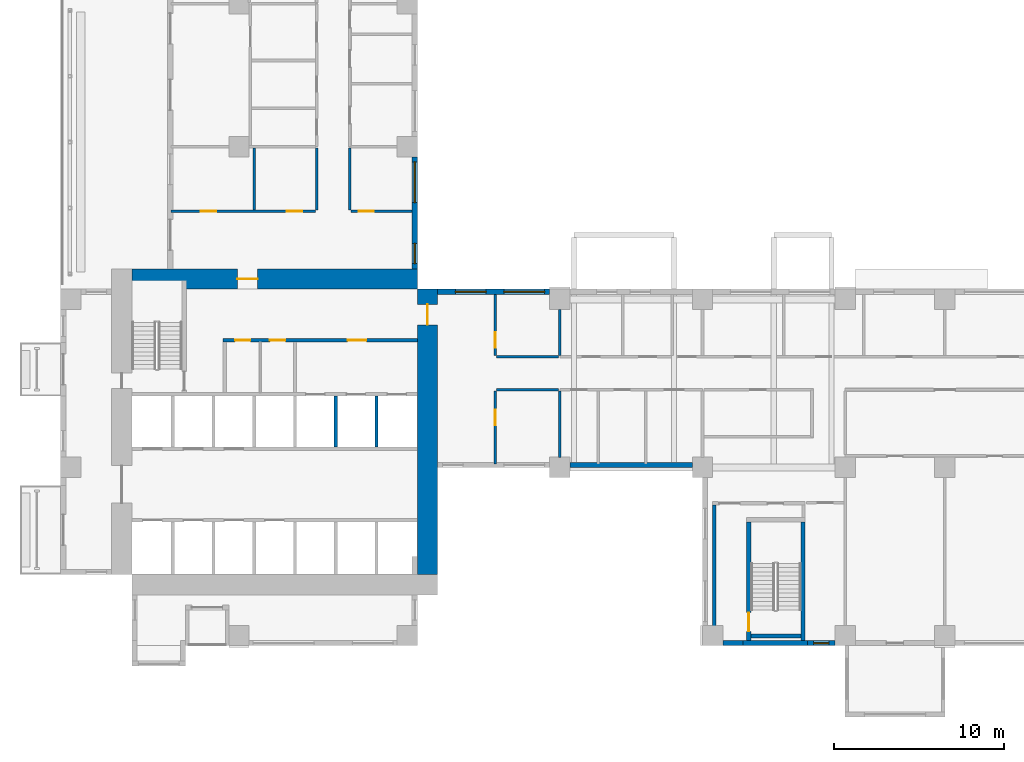
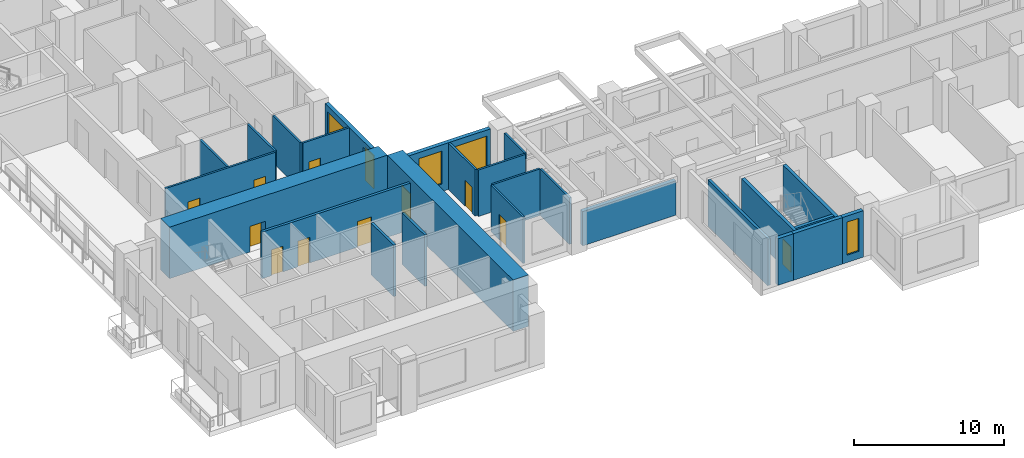
# One storey, part 7 of 18: 26 walls, 11 doors, 5 windows, 16 openings.
"""IFC4 building model written with IfcOpenShell, lengths in metres."""

from ifc_helpers import new_model, si_unit, direction, frame, frame_2d, origin, place, context, subcontext, project, spatial, rectangle, extrude, source, transform, mapped, material, layer, layer_set, type_object, element, fill, save


model = new_model("IFC4")

# Units and contexts
model_context = context("Model", 3, precision=1e-05, world=origin(), true_north=direction((0.0, 1.0)))
body_context = subcontext(model_context, "Body", "Model", "MODEL_VIEW")
ifc_project = project(units=[si_unit("LENGTHUNIT", "METRE"), si_unit("AREAUNIT", "SQUARE_METRE"), si_unit("VOLUMEUNIT", "CUBIC_METRE"), si_unit("PLANEANGLEUNIT", "RADIAN"), si_unit("MASSUNIT", "GRAM", prefix="KILO")], contexts=[model_context])

# Site, building, storey
site_placement = place(None, origin())
site = spatial("IfcSite", under=ifc_project, at=site_placement, CompositionType="ELEMENT")
building_placement = place(site_placement, origin())
building = spatial("IfcBuilding", under=site, at=building_placement, Name="Aurelian Terraces", CompositionType="ELEMENT")
storey_placement = place(building_placement, frame((0.0, 0.0, 99.3)))
storey = spatial("IfcBuildingStorey", under=building, at=storey_placement, Name="L21", CompositionType="ELEMENT", Elevation=99.3)

# Wall, openings, doors
ifc_material_1 = material(Name="Gypsum board on steel studs", Category="steel")
ifc_layer_1 = layer(ifc_material_1, 0.15)
ifc_layer_set_1 = layer_set([ifc_layer_1], Name="Partition 150")
wall_type_1 = type_object("IfcWallType", Name="Partition 150", PredefinedType="PARTITIONING", material=ifc_layer_set_1)
wall_1_placement = place(storey_placement, frame((6.505, 25.6, 0.0), z_axis=(0.0, 0.0, 1.0), x_axis=(1.0, 0.0, 0.0)))
wall_1 = element("IfcWall", 1, at=wall_1_placement, inside=storey, type_object=wall_type_1, Name="Partition", PredefinedType="PARTITIONING", context=body_context, shape_type="SweptSolid", body=[
    extrude(rectangle(XDim=8.495, YDim=0.15, at=frame_2d((4.2475, 0.0))), origin(), (0.0, 0.0, 1.0), 3.8),
])
shared_shape_1 = source(origin(), body_context, "Body", "SweptSolid", [
    extrude(rectangle(XDim=0.9, YDim=2.1, at=frame_2d((0.45, 1.05))), frame((0.0, 0.085, 0.0), z_axis=(0.0, -1.0, 0.0), x_axis=(1.0, 0.0, 0.0)), (0.0, 0.0, 1.0), 0.17),
])
opening_1_placement = place(wall_1_placement, frame((1.745, 0.0, 0.0)))
opening_1 = element("IfcOpeningElement", 2, at=opening_1_placement, cuts=wall_1, Name="Opening 721024", PredefinedType="OPENING", context=body_context, shape_type="MappedRepresentation", body=[
    mapped(shared_shape_1, transform((0.0, 0.0, 0.0), scale=1.0)),
])
opening_2_placement = place(wall_1_placement, frame((6.82, 0.0, 0.0)))
opening_2 = element("IfcOpeningElement", 3, at=opening_2_placement, cuts=wall_1, Name="Opening 721025", PredefinedType="OPENING", context=body_context, shape_type="MappedRepresentation", body=[
    mapped(shared_shape_1, transform((0.0, 0.0, 0.0), scale=1.0)),
])
ifc_material_2 = material(Name="Timber door leaf", Category="wood")
door_type_1 = type_object("IfcDoorType", Name="Room door 900x2100 right", OperationType="SINGLE_SWING_RIGHT", PredefinedType="DOOR", material=ifc_material_2)
shared_shape_2 = source(origin(), body_context, "Body", "SweptSolid", [
    extrude(rectangle(XDim=0.9, YDim=2.1, at=frame_2d((0.45, 1.05))), frame((0.0, 0.025, 0.0), z_axis=(0.0, -1.0, 0.0), x_axis=(1.0, 0.0, 0.0)), (0.0, 0.0, 1.0), 0.05),
])
door_1_placement = place(opening_1_placement, origin())
door_1 = element("IfcDoor", 4, at=door_1_placement, inside=storey, type_object=door_type_1, Name="Door 721024", OperationType="SINGLE_SWING_RIGHT", OverallHeight=2.1, OverallWidth=0.9, PredefinedType="DOOR", context=body_context, shape_type="MappedRepresentation", body=[
    mapped(shared_shape_2, transform((0.0, 0.0, 0.0), scale=1.0)),
])
fill(opening_1, door_1)
door_type_2 = type_object("IfcDoorType", Name="Room door 900x2100 left", OperationType="SINGLE_SWING_LEFT", PredefinedType="DOOR", material=ifc_material_2)
door_2_placement = place(opening_2_placement, origin())
door_2 = element("IfcDoor", 5, at=door_2_placement, inside=storey, type_object=door_type_2, Name="Door 721025", OperationType="SINGLE_SWING_LEFT", OverallHeight=2.1, OverallWidth=0.9, PredefinedType="DOOR", context=body_context, shape_type="MappedRepresentation", body=[
    mapped(shared_shape_2, transform((0.0, 0.0, 0.0), scale=1.0)),
])
fill(opening_2, door_2)

# Wall, opening, door
ifc_material_3 = material(Name="Concrete fc' 83 MPa", Category="concrete")
ifc_layer_2 = layer(ifc_material_3, 1.2)
ifc_layer_set_2 = layer_set([ifc_layer_2], Name="CORE WALL 1200 FC83")
wall_type_2 = type_object("IfcWallType", Name="CORE WALL 1200 FC83", PredefinedType="SHEAR", material=ifc_layer_set_2)
shared_shape_3 = source(origin(), body_context, "Body", "SweptSolid", [
    extrude(rectangle(XDim=16.8, YDim=1.2, at=frame_2d((8.4, 0.0))), origin(), (0.0, 0.0, 1.0), 4.2),
])
wall_2_placement = place(storey_placement, frame((21.6, 4.2, 0.0), z_axis=(0.0, 0.0, 1.0), x_axis=(0.0, 1.0, 0.0)))
wall_2 = element("IfcWall", 6, at=wall_2_placement, inside=storey, type_object=wall_type_2, Name="Core wall E L21", PredefinedType="SHEAR", context=body_context, shape_type="MappedRepresentation", body=[
    mapped(shared_shape_3, transform((0.0, 0.0, 0.0), scale=1.0)),
])
shared_shape_4 = source(origin(), body_context, "Body", "SweptSolid", [
    extrude(rectangle(XDim=1.2, YDim=2.1, at=frame_2d((0.6, 1.05))), frame((0.0, 0.61, 0.0), z_axis=(0.0, -1.0, 0.0), x_axis=(1.0, 0.0, 0.0)), (0.0, 0.0, 1.0), 1.22),
])
opening_3_placement = place(wall_2_placement, frame((14.7, 0.0, 0.0)))
opening_3 = element("IfcOpeningElement", 7, at=opening_3_placement, cuts=wall_2, Name="Opening 62422", PredefinedType="OPENING", context=body_context, shape_type="MappedRepresentation", body=[
    mapped(shared_shape_4, transform((0.0, 0.0, 0.0), scale=1.0)),
])
ifc_material_4 = material(Name="Steel door leaf", Category="steel")
door_type_3 = type_object("IfcDoorType", Name="Core fire door 1200x2100", OperationType="SINGLE_SWING_LEFT", PredefinedType="DOOR", material=ifc_material_4)
shared_shape_5 = source(origin(), body_context, "Body", "SweptSolid", [
    extrude(rectangle(XDim=1.2, YDim=2.1, at=frame_2d((0.6, 1.05))), frame((0.0, 0.025, 0.0), z_axis=(0.0, -1.0, 0.0), x_axis=(1.0, 0.0, 0.0)), (0.0, 0.0, 1.0), 0.05),
])
door_3_placement = place(opening_3_placement, origin())
door_3 = element("IfcDoor", 8, at=door_3_placement, inside=storey, type_object=door_type_3, Name="Core door 62422", OperationType="SINGLE_SWING_LEFT", OverallHeight=2.1, OverallWidth=1.2, PredefinedType="DOOR", context=body_context, shape_type="MappedRepresentation", body=[
    mapped(shared_shape_5, transform((0.0, 0.0, 0.0), scale=1.0)),
])
fill(opening_3, door_3)

wall_3_placement = place(storey_placement, frame((4.2, 21.6, 0.0), z_axis=(0.0, 0.0, 1.0), x_axis=(1.0, 0.0, 0.0)))
wall_3 = element("IfcWall", 9, at=wall_3_placement, inside=storey, type_object=wall_type_2, Name="Core wall N L21", PredefinedType="SHEAR", context=body_context, shape_type="MappedRepresentation", body=[
    mapped(shared_shape_3, transform((0.0, 0.0, 0.0), scale=1.0)),
])
opening_4_placement = place(wall_3_placement, frame((6.2, 0.0, 0.0)))
opening_4 = element("IfcOpeningElement", 10, at=opening_4_placement, cuts=wall_3, Name="Opening 62421", PredefinedType="OPENING", context=body_context, shape_type="MappedRepresentation", body=[
    mapped(shared_shape_4, transform((0.0, 0.0, 0.0), scale=1.0)),
])
door_type_4 = type_object("IfcDoorType", Name="Core fire door 1200x2100 right", OperationType="SINGLE_SWING_RIGHT", PredefinedType="DOOR", material=ifc_material_4)
door_4_placement = place(opening_4_placement, origin())
door_4 = element("IfcDoor", 11, at=door_4_placement, inside=storey, type_object=door_type_4, Name="Core door 62421", OperationType="SINGLE_SWING_RIGHT", OverallHeight=2.1, OverallWidth=1.2, PredefinedType="DOOR", context=body_context, shape_type="MappedRepresentation", body=[
    mapped(shared_shape_5, transform((0.0, 0.0, 0.0), scale=1.0)),
])
fill(opening_4, door_4)

# Wall
ifc_material_5 = material(Name="Terracotta rainscreen cladding", Category="masonry")
ifc_layer_3 = layer(ifc_material_5, 0.3)
ifc_layer_set_3 = layer_set([ifc_layer_3], Name="EW-300")
wall_type_3 = type_object("IfcWallType", Name="EW-300", PredefinedType="STANDARD", material=ifc_layer_set_3)
shared_shape_6 = source(origin(), body_context, "Body", "SweptSolid", [
    extrude(rectangle(XDim=1.2, YDim=0.3, at=frame_2d((0.6, 0.0))), origin(), (0.0, 0.0, 1.0), 3.8),
])
wall_4_placement = place(storey_placement, frame((39.0, 0.15, 0.0), z_axis=(0.0, 0.0, 1.0), x_axis=(1.0, 0.0, 0.0)))
element("IfcWall", 12, at=wall_4_placement, inside=storey, type_object=wall_type_3, Name="External wall L21 F05.9", PredefinedType="STANDARD", context=body_context, shape_type="MappedRepresentation", body=[
    mapped(shared_shape_6, transform((0.0, 0.0, 0.0), scale=1.0)),
])

# Wall, opening, window
shared_shape_7 = source(origin(), body_context, "Body", "SweptSolid", [
    extrude(rectangle(XDim=1.6, YDim=0.3, at=frame_2d((0.8, 0.0))), origin(), (0.0, 0.0, 1.0), 3.8),
])
wall_5_placement = place(storey_placement, frame((44.0, 0.15, 0.0), z_axis=(0.0, 0.0, 1.0), x_axis=(1.0, 0.0, 0.0)))
wall_5 = element("IfcWall", 13, at=wall_5_placement, inside=storey, type_object=wall_type_3, Name="External wall L21 F05.9", PredefinedType="STANDARD", context=body_context, shape_type="MappedRepresentation", body=[
    mapped(shared_shape_7, transform((0.0, 0.0, 0.0), scale=1.0)),
])
shared_shape_8 = source(origin(), body_context, "Body", "SweptSolid", [
    extrude(rectangle(XDim=0.9, YDim=2.7, at=frame_2d((0.45, 1.35))), frame((0.0, 0.16, 0.0), z_axis=(0.0, -1.0, 0.0), x_axis=(1.0, 0.0, 0.0)), (0.0, 0.0, 1.0), 0.32),
])
opening_5_placement = place(wall_5_placement, frame((0.35, 0.0, 0.6)))
opening_5 = element("IfcOpeningElement", 14, at=opening_5_placement, cuts=wall_5, Name="Opening W0927", PredefinedType="OPENING", context=body_context, shape_type="MappedRepresentation", body=[
    mapped(shared_shape_8, transform((0.0, 0.0, 0.0), scale=1.0)),
])
ifc_material_6 = material(Name="Clear glazing", Category="glass")
window_type_1 = type_object("IfcWindowType", Name="W-900x2700", PartitioningType="SINGLE_PANEL", PredefinedType="WINDOW", material=ifc_material_6)
shared_shape_9 = source(origin(), body_context, "Body", "SweptSolid", [
    extrude(rectangle(XDim=0.9, YDim=2.7, at=frame_2d((0.45, 1.35))), frame((0.0, 0.03, 0.0), z_axis=(0.0, -1.0, 0.0), x_axis=(1.0, 0.0, 0.0)), (0.0, 0.0, 1.0), 0.06),
])
window_1_placement = place(opening_5_placement, origin())
window_1 = element("IfcWindow", 15, at=window_1_placement, inside=storey, type_object=window_type_1, Name="Window L21 L21-F05-09-P2", OverallHeight=2.7, OverallWidth=0.9, PartitioningType="SINGLE_PANEL", PredefinedType="WINDOW", context=body_context, shape_type="MappedRepresentation", body=[
    mapped(shared_shape_9, transform((0.0, 0.0, 0.0), scale=1.0)),
])
fill(opening_5, window_1)

# Wall
ifc_material_7 = material(Name="Concrete fc' 40 MPa", Category="concrete")
ifc_layer_4 = layer(ifc_material_7, 0.3)
ifc_layer_set_4 = layer_set([ifc_layer_4], Name="STAIR BAY WALL 300")
wall_type_4 = type_object("IfcWallType", Name="STAIR BAY WALL 300", PredefinedType="SOLIDWALL", material=ifc_layer_set_4)
shared_shape_10 = source(origin(), body_context, "Body", "SweptSolid", [
    extrude(rectangle(XDim=3.8, YDim=0.3, at=frame_2d((1.9, 0.0))), origin(), (0.0, 0.0, 1.0), 3.8),
])
wall_6_placement = place(storey_placement, frame((40.2, 0.15, 0.0), z_axis=(0.0, 0.0, 1.0), x_axis=(1.0, 0.0, 0.0)))
element("IfcWall", 16, at=wall_6_placement, inside=storey, type_object=wall_type_4, Name="Stair bay wall L21 F05.9", PredefinedType="SOLIDWALL", context=body_context, shape_type="MappedRepresentation", body=[
    mapped(shared_shape_10, transform((0.0, 0.0, 0.0), scale=1.0)),
])

# Wall, openings, windows
shared_shape_11 = source(origin(), body_context, "Body", "SweptSolid", [
    extrude(rectangle(XDim=6.6, YDim=0.3, at=frame_2d((3.3, 0.0))), origin(), (0.0, 0.0, 1.0), 3.8),
])
wall_7_placement = place(storey_placement, frame((28.8, 20.85, 0.0), z_axis=(0.0, 0.0, 1.0), x_axis=(-1.0, 0.0, 0.0)))
wall_7 = element("IfcWall", 17, at=wall_7_placement, inside=storey, type_object=wall_type_3, Name="External wall L21 F11.22", PredefinedType="STANDARD", context=body_context, shape_type="MappedRepresentation", body=[
    mapped(shared_shape_11, transform((0.0, 0.0, 0.0), scale=1.0)),
])
shared_shape_12 = source(origin(), body_context, "Body", "SweptSolid", [
    extrude(rectangle(XDim=2.4, YDim=2.7, at=frame_2d((1.2, 1.35))), frame((0.0, 0.16, 0.0), z_axis=(0.0, -1.0, 0.0), x_axis=(1.0, 0.0, 0.0)), (0.0, 0.0, 1.0), 0.32),
])
opening_6_placement = place(wall_7_placement, frame((0.3, 0.0, 0.6)))
opening_6 = element("IfcOpeningElement", 18, at=opening_6_placement, cuts=wall_7, Name="Opening W2427", PredefinedType="OPENING", context=body_context, shape_type="MappedRepresentation", body=[
    mapped(shared_shape_12, transform((0.0, 0.0, 0.0), scale=1.0)),
])
shared_shape_13 = source(origin(), body_context, "Body", "SweptSolid", [
    extrude(rectangle(XDim=1.8, YDim=2.7, at=frame_2d((0.9, 1.35))), frame((0.0, 0.16, 0.0), z_axis=(0.0, -1.0, 0.0), x_axis=(1.0, 0.0, 0.0)), (0.0, 0.0, 1.0), 0.32),
])
opening_7_placement = place(wall_7_placement, frame((3.75, 0.0, 0.6)))
opening_7 = element("IfcOpeningElement", 19, at=opening_7_placement, cuts=wall_7, Name="Opening W1827", PredefinedType="OPENING", context=body_context, shape_type="MappedRepresentation", body=[
    mapped(shared_shape_13, transform((0.0, 0.0, 0.0), scale=1.0)),
])
window_type_2 = type_object("IfcWindowType", Name="W-2400x2700", PartitioningType="SINGLE_PANEL", PredefinedType="WINDOW", material=ifc_material_6)
shared_shape_14 = source(origin(), body_context, "Body", "SweptSolid", [
    extrude(rectangle(XDim=2.4, YDim=2.7, at=frame_2d((1.2, 1.35))), frame((0.0, 0.03, 0.0), z_axis=(0.0, -1.0, 0.0), x_axis=(1.0, 0.0, 0.0)), (0.0, 0.0, 1.0), 0.06),
])
window_2_placement = place(opening_6_placement, origin())
window_2 = element("IfcWindow", 20, at=window_2_placement, inside=storey, type_object=window_type_2, Name="Window L21 L21-F11-22-3", OverallHeight=2.7, OverallWidth=2.4, PartitioningType="SINGLE_PANEL", PredefinedType="WINDOW", context=body_context, shape_type="MappedRepresentation", body=[
    mapped(shared_shape_14, transform((0.0, 0.0, 0.0), scale=1.0)),
])
fill(opening_6, window_2)
window_type_3 = type_object("IfcWindowType", Name="W-1800x2700", PartitioningType="SINGLE_PANEL", PredefinedType="WINDOW", material=ifc_material_6)
shared_shape_15 = source(origin(), body_context, "Body", "SweptSolid", [
    extrude(rectangle(XDim=1.8, YDim=2.7, at=frame_2d((0.9, 1.35))), frame((0.0, 0.03, 0.0), z_axis=(0.0, -1.0, 0.0), x_axis=(1.0, 0.0, 0.0)), (0.0, 0.0, 1.0), 0.06),
])
window_3_placement = place(opening_7_placement, origin())
window_3 = element("IfcWindow", 21, at=window_3_placement, inside=storey, type_object=window_type_3, Name="Window L21 L21-F11-22-G2-201", OverallHeight=2.7, OverallWidth=1.8, PartitioningType="SINGLE_PANEL", PredefinedType="WINDOW", context=body_context, shape_type="MappedRepresentation", body=[
    mapped(shared_shape_15, transform((0.0, 0.0, 0.0), scale=1.0)),
])
fill(opening_7, window_3)

wall_8_placement = place(storey_placement, frame((20.85, 22.2, 0.0), z_axis=(0.0, 0.0, 1.0), x_axis=(0.0, 1.0, 0.0)))
wall_8 = element("IfcWall", 22, at=wall_8_placement, inside=storey, type_object=wall_type_3, Name="External wall L21 F12.23", PredefinedType="STANDARD", context=body_context, shape_type="MappedRepresentation", body=[
    mapped(shared_shape_11, transform((0.0, 0.0, 0.0), scale=1.0)),
])
shared_shape_16 = source(origin(), body_context, "Body", "SweptSolid", [
    extrude(rectangle(XDim=1.2, YDim=2.7, at=frame_2d((0.6, 1.35))), frame((0.0, 0.16, 0.0), z_axis=(0.0, -1.0, 0.0), x_axis=(1.0, 0.0, 0.0)), (0.0, 0.0, 1.0), 0.32),
])
opening_8_placement = place(wall_8_placement, frame((0.3, 0.0, 0.6)))
opening_8 = element("IfcOpeningElement", 23, at=opening_8_placement, cuts=wall_8, Name="Opening W1227", PredefinedType="OPENING", context=body_context, shape_type="MappedRepresentation", body=[
    mapped(shared_shape_16, transform((0.0, 0.0, 0.0), scale=1.0)),
])
opening_9_placement = place(wall_8_placement, frame((3.9, 0.0, 0.6)))
opening_9 = element("IfcOpeningElement", 24, at=opening_9_placement, cuts=wall_8, Name="Opening W2427", PredefinedType="OPENING", context=body_context, shape_type="MappedRepresentation", body=[
    mapped(shared_shape_12, transform((0.0, 0.0, 0.0), scale=1.0)),
])
window_4_placement = place(opening_9_placement, origin())
window_4 = element("IfcWindow", 25, at=window_4_placement, inside=storey, type_object=window_type_2, Name="Window L21 L21-F12-23-1", OverallHeight=2.7, OverallWidth=2.4, PartitioningType="SINGLE_PANEL", PredefinedType="WINDOW", context=body_context, shape_type="MappedRepresentation", body=[
    mapped(shared_shape_14, transform((0.0, 0.0, 0.0), scale=1.0)),
])
fill(opening_9, window_4)
window_type_4 = type_object("IfcWindowType", Name="W-1200x2700", PartitioningType="SINGLE_PANEL", PredefinedType="WINDOW", material=ifc_material_6)
shared_shape_17 = source(origin(), body_context, "Body", "SweptSolid", [
    extrude(rectangle(XDim=1.2, YDim=2.7, at=frame_2d((0.6, 1.35))), frame((0.0, 0.03, 0.0), z_axis=(0.0, -1.0, 0.0), x_axis=(1.0, 0.0, 0.0)), (0.0, 0.0, 1.0), 0.06),
])
window_5_placement = place(opening_8_placement, origin())
window_5 = element("IfcWindow", 26, at=window_5_placement, inside=storey, type_object=window_type_4, Name="Window L21 L21-F12-23-0", OverallHeight=2.7, OverallWidth=1.2, PartitioningType="SINGLE_PANEL", PredefinedType="WINDOW", context=body_context, shape_type="MappedRepresentation", body=[
    mapped(shared_shape_17, transform((0.0, 0.0, 0.0), scale=1.0)),
])
fill(opening_8, window_5)

# Walls
shared_shape_18 = source(origin(), body_context, "Body", "SweptSolid", [
    extrude(rectangle(XDim=7.2, YDim=0.3, at=frame_2d((3.6, 0.0))), origin(), (0.0, 0.0, 1.0), 2.8),
])
wall_9_placement = place(storey_placement, frame((30.0, 10.65, 0.0), z_axis=(0.0, 0.0, 1.0), x_axis=(1.0, 0.0, 0.0)))
element("IfcWall", 27, at=wall_9_placement, inside=storey, type_object=wall_type_3, Name="External wall L21 F03.7", PredefinedType="STANDARD", context=body_context, shape_type="MappedRepresentation", body=[
    mapped(shared_shape_18, transform((0.0, 0.0, 0.0), scale=1.0)),
])
ifc_layer_5 = layer(ifc_material_7, 0.2)
ifc_layer_set_5 = layer_set([ifc_layer_5], Name="Lift shaft wall 200")
wall_type_5 = type_object("IfcWallType", Name="Lift shaft wall 200", PredefinedType="SOLIDWALL", material=ifc_layer_set_5)
shared_shape_19 = source(origin(), body_context, "Body", "SweptSolid", [
    extrude(rectangle(XDim=3.0, YDim=0.2, at=frame_2d((1.5, 0.0))), origin(), (0.0, 0.0, 1.0), 4.2),
])
for number, where, z_axis, x_axis, name in (
    (28, (16.2, 11.7, 0.0), (0.0, 0.0, 1.0), (0.0, 1.0, 0.0), "L21 core wall CD-B5"),
    (29, (18.6, 11.7, 0.0), (0.0, 0.0, 1.0), (0.0, 1.0, 0.0), "L21 core wall CD-B6"),
):
    element("IfcWall", number, at=place(storey_placement, frame(where, z_axis=z_axis, x_axis=x_axis)), inside=storey, type_object=wall_type_5, Name=name, PredefinedType="SOLIDWALL", context=body_context, shape_type="MappedRepresentation", body=[
        mapped(shared_shape_19, transform((0.0, 0.0, 0.0), scale=1.0)),
    ])

# Wall, opening, door
ifc_layer_6 = layer(ifc_material_7, 0.25)
ifc_layer_set_6 = layer_set([ifc_layer_6], Name="Stair enclosure wall 250")
wall_type_6 = type_object("IfcWallType", Name="Stair enclosure wall 250", PredefinedType="SOLIDWALL", material=ifc_layer_set_6)
shared_shape_20 = source(origin(), body_context, "Body", "SweptSolid", [
    extrude(rectangle(XDim=7.0, YDim=0.25, at=frame_2d((3.5, 0.0))), origin(), (0.0, 0.0, 1.0), 3.8),
])
wall_10_placement = place(storey_placement, frame((40.525, 0.3, 0.0), z_axis=(0.0, 0.0, 1.0), x_axis=(0.0, 1.0, 0.0)))
wall_10 = element("IfcWall", 30, at=wall_10_placement, inside=storey, type_object=wall_type_6, Name="L21 core wall ST-S2-W", PredefinedType="SOLIDWALL", context=body_context, shape_type="MappedRepresentation", body=[
    mapped(shared_shape_20, transform((0.0, 0.0, 0.0), scale=1.0)),
])
shared_shape_21 = source(origin(), body_context, "Body", "SweptSolid", [
    extrude(rectangle(XDim=1.1, YDim=2.1, at=frame_2d((0.55, 1.05))), frame((0.0, 0.135, 0.0), z_axis=(0.0, -1.0, 0.0), x_axis=(1.0, 0.0, 0.0)), (0.0, 0.0, 1.0), 0.27),
])
opening_10_placement = place(wall_10_placement, frame((0.55, 0.0, 0.0)))
opening_10 = element("IfcOpeningElement", 31, at=opening_10_placement, cuts=wall_10, Name="Opening 62414", PredefinedType="OPENING", context=body_context, shape_type="MappedRepresentation", body=[
    mapped(shared_shape_21, transform((0.0, 0.0, 0.0), scale=1.0)),
])
door_type_5 = type_object("IfcDoorType", Name="Core fire door 1100x2100", OperationType="SINGLE_SWING_LEFT", PredefinedType="DOOR", material=ifc_material_4)
shared_shape_22 = source(origin(), body_context, "Body", "SweptSolid", [
    extrude(rectangle(XDim=1.1, YDim=2.1, at=frame_2d((0.55, 1.05))), frame((0.0, 0.025, 0.0), z_axis=(0.0, -1.0, 0.0), x_axis=(1.0, 0.0, 0.0)), (0.0, 0.0, 1.0), 0.05),
])
door_5_placement = place(opening_10_placement, origin())
door_5 = element("IfcDoor", 32, at=door_5_placement, inside=storey, type_object=door_type_5, Name="Stair door 62414", OperationType="SINGLE_SWING_LEFT", OverallHeight=2.1, OverallWidth=1.1, PredefinedType="DOOR", context=body_context, shape_type="MappedRepresentation", body=[
    mapped(shared_shape_22, transform((0.0, 0.0, 0.0), scale=1.0)),
])
fill(opening_10, door_5)

# Walls
wall_11_placement = place(storey_placement, frame((43.725, 0.3, 0.0), z_axis=(0.0, 0.0, 1.0), x_axis=(0.0, 1.0, 0.0)))
element("IfcWall", 33, at=wall_11_placement, inside=storey, type_object=wall_type_6, Name="L21 core wall ST-S2-E", PredefinedType="SOLIDWALL", context=body_context, shape_type="MappedRepresentation", body=[
    mapped(shared_shape_20, transform((0.0, 0.0, 0.0), scale=1.0)),
])
shared_shape_23 = source(origin(), body_context, "Body", "SweptSolid", [
    extrude(rectangle(XDim=2.95, YDim=0.25, at=frame_2d((1.475, 0.0))), origin(), (0.0, 0.0, 1.0), 3.8),
])
wall_12_placement = place(storey_placement, frame((40.65, 0.575, 0.0), z_axis=(0.0, 0.0, 1.0), x_axis=(1.0, 0.0, 0.0)))
element("IfcWall", 34, at=wall_12_placement, inside=storey, type_object=wall_type_6, Name="L21 core wall ST-S2-SS", PredefinedType="SOLIDWALL", context=body_context, shape_type="MappedRepresentation", body=[
    mapped(shared_shape_23, transform((0.0, 0.0, 0.0), scale=1.0)),
])
ifc_layer_7 = layer(ifc_material_1, 0.2)
ifc_layer_set_7 = layer_set([ifc_layer_7], Name="Core partition 200")
wall_type_7 = type_object("IfcWallType", Name="Core partition 200", PredefinedType="PARTITIONING", material=ifc_layer_set_7)
shared_shape_24 = source(origin(), body_context, "Body", "SweptSolid", [
    extrude(rectangle(XDim=8.0, YDim=0.2, at=frame_2d((4.0, 0.0))), origin(), (0.0, 0.0, 1.0), 3.8),
])
wall_13_placement = place(storey_placement, frame((38.5, 0.3, 0.0), z_axis=(0.0, 0.0, 1.0), x_axis=(0.0, 1.0, 0.0)))
element("IfcWall", 35, at=wall_13_placement, inside=storey, type_object=wall_type_7, Name="L21 core wall ST-S2-VW", PredefinedType="PARTITIONING", context=body_context, shape_type="MappedRepresentation", body=[
    mapped(shared_shape_24, transform((0.0, 0.0, 0.0), scale=1.0)),
])

# Wall, openings, doors
shared_shape_25 = source(origin(), body_context, "Body", "SweptSolid", [
    extrude(rectangle(XDim=11.45, YDim=0.2, at=frame_2d((5.725, 0.0))), origin(), (0.0, 0.0, 1.0), 3.8),
])
wall_14_placement = place(storey_placement, frame((9.55, 18.0, 0.0), z_axis=(0.0, 0.0, 1.0), x_axis=(1.0, 0.0, 0.0)))
wall_14 = element("IfcWall", 36, at=wall_14_placement, inside=storey, type_object=wall_type_7, Name="L21 core wall CP-NORTH", PredefinedType="PARTITIONING", context=body_context, shape_type="MappedRepresentation", body=[
    mapped(shared_shape_25, transform((0.0, 0.0, 0.0), scale=1.0)),
])
shared_shape_26 = source(origin(), body_context, "Body", "SweptSolid", [
    extrude(rectangle(XDim=0.9, YDim=2.1, at=frame_2d((0.45, 1.05))), frame((0.0, 0.11, 0.0), z_axis=(0.0, -1.0, 0.0), x_axis=(1.0, 0.0, 0.0)), (0.0, 0.0, 1.0), 0.22),
])
opening_11_placement = place(wall_14_placement, frame((0.725, 0.0, 0.0)))
opening_11 = element("IfcOpeningElement", 37, at=opening_11_placement, cuts=wall_14, Name="Opening 62411", PredefinedType="OPENING", context=body_context, shape_type="MappedRepresentation", body=[
    mapped(shared_shape_26, transform((0.0, 0.0, 0.0), scale=1.0)),
])
opening_12_placement = place(wall_14_placement, frame((2.775, 0.0, 0.0)))
opening_12 = element("IfcOpeningElement", 38, at=opening_12_placement, cuts=wall_14, Name="Opening 62412", PredefinedType="OPENING", context=body_context, shape_type="MappedRepresentation", body=[
    mapped(shared_shape_26, transform((0.0, 0.0, 0.0), scale=1.0)),
])
shared_shape_27 = source(origin(), body_context, "Body", "SweptSolid", [
    extrude(rectangle(XDim=1.1, YDim=2.1, at=frame_2d((0.55, 1.05))), frame((0.0, 0.11, 0.0), z_axis=(0.0, -1.0, 0.0), x_axis=(1.0, 0.0, 0.0)), (0.0, 0.0, 1.0), 0.22),
])
opening_13_placement = place(wall_14_placement, frame((7.35, 0.0, 0.0)))
opening_13 = element("IfcOpeningElement", 39, at=opening_13_placement, cuts=wall_14, Name="Opening 62413", PredefinedType="OPENING", context=body_context, shape_type="MappedRepresentation", body=[
    mapped(shared_shape_27, transform((0.0, 0.0, 0.0), scale=1.0)),
])
door_type_6 = type_object("IfcDoorType", Name="Core service door 900x2100 right", OperationType="SINGLE_SWING_RIGHT", PredefinedType="DOOR", material=ifc_material_4)
door_6_placement = place(opening_11_placement, origin())
door_6 = element("IfcDoor", 40, at=door_6_placement, inside=storey, type_object=door_type_6, Name="Room door 62411", OperationType="SINGLE_SWING_RIGHT", OverallHeight=2.1, OverallWidth=0.9, PredefinedType="DOOR", context=body_context, shape_type="MappedRepresentation", body=[
    mapped(shared_shape_2, transform((0.0, 0.0, 0.0), scale=1.0)),
])
fill(opening_11, door_6)
door_type_7 = type_object("IfcDoorType", Name="Core service door 900x2100", OperationType="SINGLE_SWING_LEFT", PredefinedType="DOOR", material=ifc_material_4)
door_7_placement = place(opening_12_placement, origin())
door_7 = element("IfcDoor", 41, at=door_7_placement, inside=storey, type_object=door_type_7, Name="Room door 62412", OperationType="SINGLE_SWING_LEFT", OverallHeight=2.1, OverallWidth=0.9, PredefinedType="DOOR", context=body_context, shape_type="MappedRepresentation", body=[
    mapped(shared_shape_2, transform((0.0, 0.0, 0.0), scale=1.0)),
])
fill(opening_12, door_7)
door_type_8 = type_object("IfcDoorType", Name="Core fire door 1100x2100 right", OperationType="SINGLE_SWING_RIGHT", PredefinedType="DOOR", material=ifc_material_4)
door_8_placement = place(opening_13_placement, origin())
door_8 = element("IfcDoor", 42, at=door_8_placement, inside=storey, type_object=door_type_8, Name="Ff lobby door 62413", OperationType="SINGLE_SWING_RIGHT", OverallHeight=2.1, OverallWidth=1.1, PredefinedType="DOOR", context=body_context, shape_type="MappedRepresentation", body=[
    mapped(shared_shape_22, transform((0.0, 0.0, 0.0), scale=1.0)),
])
fill(opening_13, door_8)

# Wall, opening, door
shared_shape_28 = source(origin(), body_context, "Body", "SweptSolid", [
    extrude(rectangle(XDim=3.6, YDim=0.15, at=frame_2d((1.8, 0.0))), origin(), (0.0, 0.0, 1.0), 3.8),
])
wall_15_placement = place(storey_placement, frame((25.6, 20.7, 0.0), z_axis=(0.0, 0.0, 1.0), x_axis=(0.0, -1.0, 0.0)))
wall_15 = element("IfcWall", 43, at=wall_15_placement, inside=storey, type_object=wall_type_1, Name="Partition", PredefinedType="PARTITIONING", context=body_context, shape_type="MappedRepresentation", body=[
    mapped(shared_shape_28, transform((0.0, 0.0, 0.0), scale=1.0)),
])
opening_14_placement = place(wall_15_placement, frame((2.25, 0.0, 0.0)))
opening_14 = element("IfcOpeningElement", 44, at=opening_14_placement, cuts=wall_15, Name="Opening 721002", PredefinedType="OPENING", context=body_context, shape_type="MappedRepresentation", body=[
    mapped(shared_shape_1, transform((0.0, 0.0, 0.0), scale=1.0)),
])
door_9_placement = place(opening_14_placement, origin())
door_9 = element("IfcDoor", 45, at=door_9_placement, inside=storey, type_object=door_type_1, Name="Door 721002", OperationType="SINGLE_SWING_RIGHT", OverallHeight=2.1, OverallWidth=0.9, PredefinedType="DOOR", context=body_context, shape_type="MappedRepresentation", body=[
    mapped(shared_shape_2, transform((0.0, 0.0, 0.0), scale=1.0)),
])
fill(opening_14, door_9)

wall_16_placement = place(storey_placement, frame((17.1, 25.6, 0.0), z_axis=(0.0, 0.0, 1.0), x_axis=(1.0, 0.0, 0.0)))
wall_16 = element("IfcWall", 46, at=wall_16_placement, inside=storey, type_object=wall_type_1, Name="Partition", PredefinedType="PARTITIONING", context=body_context, shape_type="MappedRepresentation", body=[
    mapped(shared_shape_28, transform((0.0, 0.0, 0.0), scale=1.0)),
])
opening_15_placement = place(wall_16_placement, frame((0.45, 0.0, 0.0)))
opening_15 = element("IfcOpeningElement", 47, at=opening_15_placement, cuts=wall_16, Name="Opening 721026", PredefinedType="OPENING", context=body_context, shape_type="MappedRepresentation", body=[
    mapped(shared_shape_1, transform((0.0, 0.0, 0.0), scale=1.0)),
])
door_10_placement = place(opening_15_placement, origin())
door_10 = element("IfcDoor", 48, at=door_10_placement, inside=storey, type_object=door_type_1, Name="Door 721026", OperationType="SINGLE_SWING_RIGHT", OverallHeight=2.1, OverallWidth=0.9, PredefinedType="DOOR", context=body_context, shape_type="MappedRepresentation", body=[
    mapped(shared_shape_2, transform((0.0, 0.0, 0.0), scale=1.0)),
])
fill(opening_15, door_10)

# Walls
shared_shape_29 = source(origin(), body_context, "Body", "SweptSolid", [
    extrude(rectangle(XDim=2.701, YDim=0.15, at=frame_2d((1.3505, 0.0))), origin(), (0.0, 0.0, 1.0), 3.8),
])
wall_17_placement = place(storey_placement, frame((29.4, 17.1, 0.0), z_axis=(0.0, 0.0, 1.0), x_axis=(0.0, 1.0, 0.0)))
element("IfcWall", 49, at=wall_17_placement, inside=storey, type_object=wall_type_1, Name="Partition", PredefinedType="PARTITIONING", context=body_context, shape_type="MappedRepresentation", body=[
    mapped(shared_shape_29, transform((0.0, 0.0, 0.0), scale=1.0)),
])
shared_shape_30 = source(origin(), body_context, "Body", "SweptSolid", [
    extrude(rectangle(XDim=3.901, YDim=0.15, at=frame_2d((1.9505, 0.0))), origin(), (0.0, 0.0, 1.0), 3.8),
])
wall_18_placement = place(storey_placement, frame((29.4, 11.099, 0.0), z_axis=(0.0, 0.0, 1.0), x_axis=(0.0, 1.0, 0.0)))
element("IfcWall", 50, at=wall_18_placement, inside=storey, type_object=wall_type_1, Name="Partition", PredefinedType="PARTITIONING", context=body_context, shape_type="MappedRepresentation", body=[
    mapped(shared_shape_30, transform((0.0, 0.0, 0.0), scale=1.0)),
])

# Wall, opening, door
shared_shape_31 = source(origin(), body_context, "Body", "SweptSolid", [
    extrude(rectangle(XDim=4.295, YDim=0.15, at=frame_2d((2.1475, 0.0))), origin(), (0.0, 0.0, 1.0), 3.8),
])
wall_19_placement = place(storey_placement, frame((25.6, 15.0, 0.0), z_axis=(0.0, 0.0, 1.0), x_axis=(0.0, -1.0, 0.0)))
wall_19 = element("IfcWall", 51, at=wall_19_placement, inside=storey, type_object=wall_type_1, Name="Partition", PredefinedType="PARTITIONING", context=body_context, shape_type="MappedRepresentation", body=[
    mapped(shared_shape_31, transform((0.0, 0.0, 0.0), scale=1.0)),
])
opening_16_placement = place(wall_19_placement, frame((1.1125, 0.0, 0.0)))
opening_16 = element("IfcOpeningElement", 52, at=opening_16_placement, cuts=wall_19, Name="Opening 721001", PredefinedType="OPENING", context=body_context, shape_type="MappedRepresentation", body=[
    mapped(shared_shape_1, transform((0.0, 0.0, 0.0), scale=1.0)),
])
door_11_placement = place(opening_16_placement, origin())
door_11 = element("IfcDoor", 53, at=door_11_placement, inside=storey, type_object=door_type_2, Name="Door 721001", OperationType="SINGLE_SWING_LEFT", OverallHeight=2.1, OverallWidth=0.9, PredefinedType="DOOR", context=body_context, shape_type="MappedRepresentation", body=[
    mapped(shared_shape_2, transform((0.0, 0.0, 0.0), scale=1.0)),
])
fill(opening_16, door_11)

# Walls
ifc_layer_8 = layer(ifc_material_1, 0.15)
ifc_layer_set_8 = layer_set([ifc_layer_8], Name="Fire partition 150")
wall_type_8 = type_object("IfcWallType", Name="Fire partition 150", PredefinedType="PARTITIONING", material=ifc_layer_set_8)
shared_shape_32 = source(origin(), body_context, "Body", "SweptSolid", [
    extrude(rectangle(XDim=3.65, YDim=0.15, at=frame_2d((1.825, 0.0))), origin(), (0.0, 0.0, 1.0), 3.8),
])
for number, where, z_axis, x_axis, name in (
    (54, (29.325, 15.075, 0.0), (0.0, 0.0, 1.0), (-1.0, 0.0, 0.0), "Corridor wall"),
    (55, (25.675, 17.025, 0.0), (0.0, 0.0, 1.0), (1.0, 0.0, 0.0), "Corridor wall"),
):
    element("IfcWall", number, at=place(storey_placement, frame(where, z_axis=z_axis, x_axis=x_axis)), inside=storey, type_object=wall_type_8, Name=name, PredefinedType="PARTITIONING", context=body_context, shape_type="MappedRepresentation", body=[
        mapped(shared_shape_32, transform((0.0, 0.0, 0.0), scale=1.0)),
    ])
wall_20_placement = place(storey_placement, frame((11.4, 25.675, 0.0), z_axis=(0.0, 0.0, 1.0), x_axis=(0.0, 1.0, 0.0)))
element("IfcWall", 56, at=wall_20_placement, inside=storey, type_object=wall_type_1, Name="Partition", PredefinedType="PARTITIONING", context=body_context, shape_type="MappedRepresentation", body=[
    mapped(shared_shape_32, transform((0.0, 0.0, 0.0), scale=1.0)),
])
for number, where, z_axis, x_axis, name in (
    (57, (15.075, 25.675, 0.0), (0.0, 0.0, 1.0), (0.0, 1.0, 0.0), "Corridor wall"),
    (58, (17.025, 29.325, 0.0), (0.0, 0.0, 1.0), (0.0, -1.0, 0.0), "Corridor wall"),
):
    element("IfcWall", number, at=place(storey_placement, frame(where, z_axis=z_axis, x_axis=x_axis)), inside=storey, type_object=wall_type_8, Name=name, PredefinedType="PARTITIONING", context=body_context, shape_type="MappedRepresentation", body=[
        mapped(shared_shape_32, transform((0.0, 0.0, 0.0), scale=1.0)),
    ])

save(model, "model.ifc")
